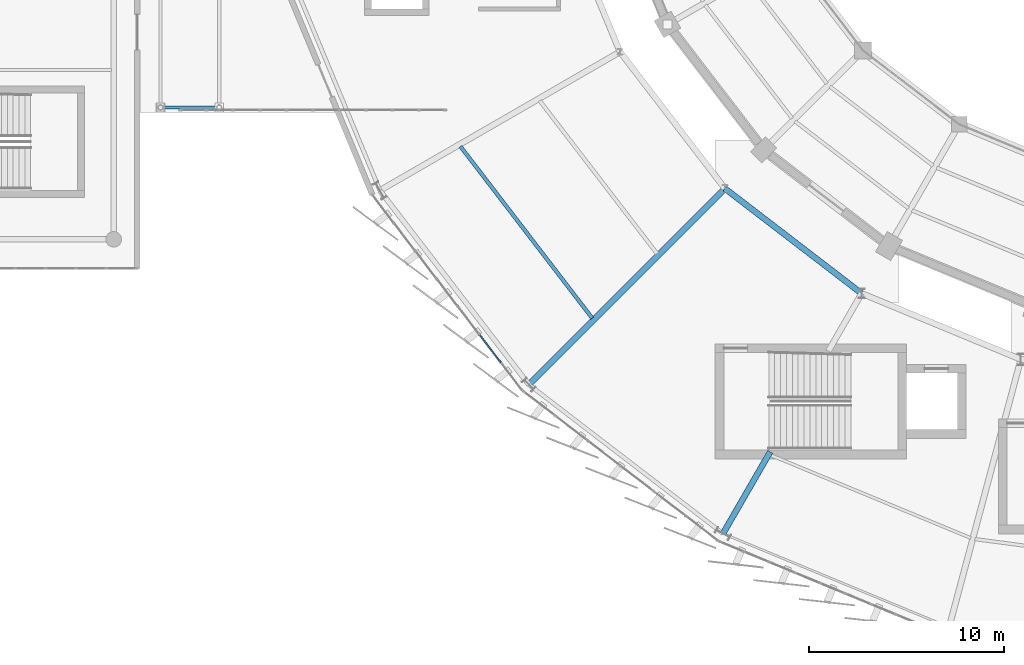
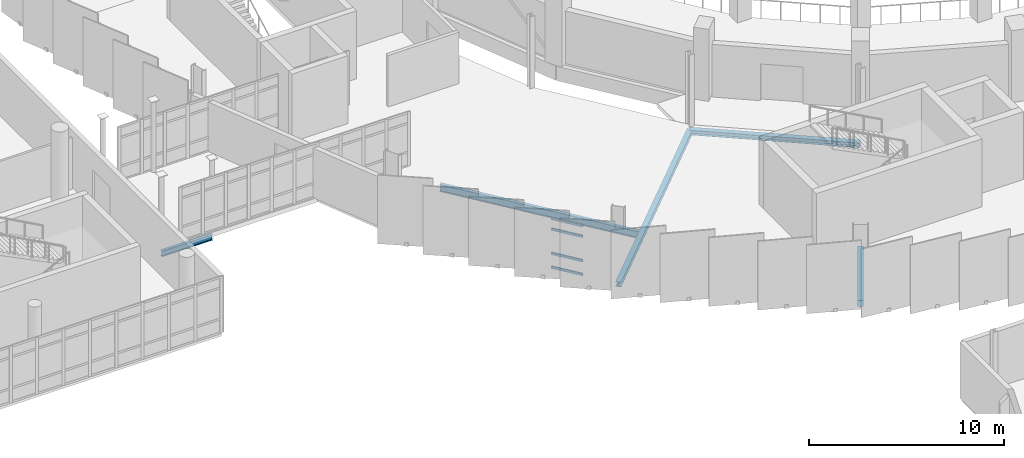
# One storey, part 30 of 125: 5 beams, 4 members, 1 element without a shape of its own.
"""IFC4 building model written with IfcOpenShell, lengths in metres."""

from ifc_helpers import new_model, si_unit, direction, frame, origin, origin_2d, place, context, subcontext, project, spatial, rectangle, i_section, extrude, material, layer, layer_set, material_profile, profile_set, type_object, element, aggregate, save


model = new_model("IFC4")

# Units and contexts
model_context = context("Model", 3, precision=1e-05, world=origin(), true_north=direction((0.0, 1.0)))
body_context = subcontext(model_context, "Body", "Model", "MODEL_VIEW")
ifc_project = project(units=[si_unit("LENGTHUNIT", "METRE"), si_unit("AREAUNIT", "SQUARE_METRE"), si_unit("VOLUMEUNIT", "CUBIC_METRE"), si_unit("PLANEANGLEUNIT", "RADIAN"), si_unit("MASSUNIT", "GRAM", prefix="KILO")], contexts=[model_context])

# Site, building, storey
site_placement = place(None, origin())
site = spatial("IfcSite", under=ifc_project, at=site_placement, CompositionType="ELEMENT")
building_placement = place(site_placement, origin())
building = spatial("IfcBuilding", under=site, at=building_placement, Name="Sohan Crest Arena", CompositionType="ELEMENT")
storey_placement = place(building_placement, frame((0.0, 0.0, 9.0)))
storey = spatial("IfcBuildingStorey", under=building, at=storey_placement, Name="L02", CompositionType="ELEMENT", Elevation=9.0)

# Curtain wall, members
ifc_material_1 = material(Name="Thermally broken anodised aluminium", Category="aluminium")
ifc_layer = layer(ifc_material_1, 0.219970703125, Name="Thermally broken anodised aluminium")
ifc_layer_set = layer_set([ifc_layer], Name="Thermally broken anodised aluminium")
curtain_wall_type = type_object("IfcCurtainWallType", Name="ARC-CW03", PredefinedType="NOTDEFINED", material=ifc_layer_set)
curtain_wall_placement = place(storey_placement, origin())
curtain_wall = element("IfcCurtainWall", 1, at=curtain_wall_placement, inside=storey, type_object=curtain_wall_type, Name="Unitised curtain wall CW-056", PredefinedType="NOTDEFINED")
ifc_material_profile_1 = material_profile(ifc_material_1, rectangle(XDim=0.070068359375, YDim=0.14990234375, at=origin_2d()), Name="ALU-TRAN 70x150")
ifc_profile_set_1 = profile_set([ifc_material_profile_1], Name="Thermally broken anodised aluminium")
member_type = type_object("IfcMemberType", Name="ARC-CW-TR03", PredefinedType="USERDEFINED", material=ifc_profile_set_1)
member_1_placement = place(storey_placement, frame((61.559326171875, 46.583984375, 0.034912109375), z_axis=(0.608818785139, -0.79330932609, 0.0), x_axis=(0.79330932609, 0.608818785139, 0.0)))
member_1 = element("IfcMember", 2, at=member_1_placement, type_object=member_type, Name="CW-056 transom 6.1", ObjectType="TRANSOM", PredefinedType="USERDEFINED", context=body_context, shape_type="SweptSolid", body=[
    extrude(rectangle(XDim=0.070068359375, YDim=0.14990234375, at=origin_2d()), origin(), (0.0, 0.0, 1.0), 1.746826171875),
])
member_2_placement = place(storey_placement, frame((61.559326171875, 46.583984375, 0.89990234375), z_axis=(0.608818785139, -0.79330932609, 0.0), x_axis=(0.79330932609, 0.608818785139, 0.0)))
member_2 = element("IfcMember", 3, at=member_2_placement, type_object=member_type, Name="CW-056 transom 6.2", ObjectType="TRANSOM", PredefinedType="USERDEFINED", context=body_context, shape_type="SweptSolid", body=[
    extrude(rectangle(XDim=0.070068359375, YDim=0.14990234375, at=origin_2d()), origin(), (0.0, 0.0, 1.0), 1.746826171875),
])
member_3_placement = place(storey_placement, frame((61.559326171875, 46.583984375, 2.419921875), z_axis=(0.608818785139, -0.79330932609, 0.0), x_axis=(0.79330932609, 0.608818785139, 0.0)))
member_3 = element("IfcMember", 4, at=member_3_placement, type_object=member_type, Name="CW-056 transom 6.3", ObjectType="TRANSOM", PredefinedType="USERDEFINED", context=body_context, shape_type="SweptSolid", body=[
    extrude(rectangle(XDim=0.070068359375, YDim=0.14990234375, at=origin_2d()), origin(), (0.0, 0.0, 1.0), 1.746826171875),
])
member_4_placement = place(storey_placement, frame((61.559326171875, 46.583984375, 3.0849609375), z_axis=(0.608818785139, -0.79330932609, 0.0), x_axis=(0.79330932609, 0.608818785139, 0.0)))
member_4 = element("IfcMember", 5, at=member_4_placement, type_object=member_type, Name="CW-056 transom 6.4", ObjectType="TRANSOM", PredefinedType="USERDEFINED", context=body_context, shape_type="SweptSolid", body=[
    extrude(rectangle(XDim=0.070068359375, YDim=0.14990234375, at=origin_2d()), origin(), (0.0, 0.0, 1.0), 1.746826171875),
])
aggregate(curtain_wall, [member_1, member_2, member_3, member_4])

# Beams
ifc_material_2 = material(Name="Steel S355", Category="steel")
ifc_material_profile_2 = material_profile(ifc_material_2, i_section(OverallWidth=0.169921875, OverallDepth=0.360107421875, WebThickness=0.008056640625, FlangeThickness=0.0126953125, at=origin_2d()), Name="IPE 360")
ifc_profile_set_2 = profile_set([ifc_material_profile_2], Name="Steel S355")
beam_type_1 = type_object("IfcBeamType", Name="STR-BM-B02", PredefinedType="JOIST", material=ifc_profile_set_2)
beam_1_placement = place(storey_placement, frame((45.199951171875, 58.25, -0.455078125), z_axis=(1.0, 0.0, 0.0), x_axis=(0.0, 1.0, 0.0)))
element("IfcBeam", 6, at=beam_1_placement, inside=storey, type_object=beam_type_1, Name="Structural beam BG-L02-2928", PredefinedType="JOIST", context=body_context, shape_type="SweptSolid", body=[
    extrude(i_section(OverallWidth=0.169921875, OverallDepth=0.360107421875, WebThickness=0.008056640625, FlangeThickness=0.0126953125, at=origin_2d()), origin(), (0.0, 0.0, 1.0), 3.0),
])
ifc_material_profile_3 = material_profile(ifc_material_2, i_section(OverallWidth=0.18994140625, OverallDepth=0.449951171875, WebThickness=0.009521484375, FlangeThickness=0.0146484375, at=origin_2d()), Name="IPE 450")
ifc_profile_set_3 = profile_set([ifc_material_profile_3], Name="Steel S355")
beam_type_2 = type_object("IfcBeamType", Name="STR-BM-B04", PredefinedType="JOIST", material=ifc_profile_set_3)
beam_2_placement = place(storey_placement, frame((60.555908203125, 56.256103515625, -0.47509765625), z_axis=(0.608788813613, -0.793332326594, 0.0), x_axis=(0.793332326594, 0.608788813613, 0.0)))
element("IfcBeam", 7, at=beam_2_placement, inside=storey, type_object=beam_type_2, Name="Structural beam J-L02-1280", PredefinedType="JOIST", context=body_context, shape_type="SweptSolid", body=[
    extrude(i_section(OverallWidth=0.18994140625, OverallDepth=0.449951171875, WebThickness=0.009521484375, FlangeThickness=0.0146484375, at=origin_2d()), origin(), (0.0, 0.0, 1.0), 11.087646484375),
])
ifc_material_profile_4 = material_profile(ifc_material_2, i_section(OverallWidth=0.300048828125, OverallDepth=0.300048828125, WebThickness=0.010986328125, FlangeThickness=0.01904296875, at=origin_2d()), Name="HEB 300")
ifc_profile_set_4 = profile_set([ifc_material_profile_4], Name="Steel S355")
beam_type_3 = type_object("IfcBeamType", Name="STR-BM-B12", PredefinedType="BEAM", material=ifc_profile_set_4)
beam_3_placement = place(storey_placement, frame((74.10009765625, 54.10009765625, -0.39990234375), z_axis=(-0.707106781187, -0.707106781187, 0.0), x_axis=(0.707106781187, -0.707106781187, 0.0)))
element("IfcBeam", 8, at=beam_3_placement, inside=storey, type_object=beam_type_3, Name="Structural beam G-L02-1281", PredefinedType="BEAM", context=body_context, shape_type="SweptSolid", body=[
    extrude(i_section(OverallWidth=0.300048828125, OverallDepth=0.300048828125, WebThickness=0.010986328125, FlangeThickness=0.01904296875, at=origin_2d()), origin(), (0.0, 0.0, 1.0), 14.2001953125),
])
beam_4_placement = place(storey_placement, frame((74.10009765625, 54.10009765625, -0.39990234375), z_axis=(0.793310569192, -0.608817165336, 0.0), x_axis=(0.608817165336, 0.793310569192, 0.0)))
element("IfcBeam", 9, at=beam_4_placement, inside=storey, type_object=beam_type_3, Name="Structural beam G-L02-1282", PredefinedType="BEAM", context=body_context, shape_type="SweptSolid", body=[
    extrude(i_section(OverallWidth=0.300048828125, OverallDepth=0.300048828125, WebThickness=0.010986328125, FlangeThickness=0.01904296875, at=origin_2d()), origin(), (0.0, 0.0, 1.0), 8.82373046875),
])
ifc_material_profile_5 = material_profile(ifc_material_2, i_section(OverallWidth=0.300048828125, OverallDepth=0.39990234375, WebThickness=0.013427734375, FlangeThickness=0.02392578125, at=origin_2d()), Name="HEB 400")
ifc_profile_set_5 = profile_set([ifc_material_profile_5], Name="Steel S355")
beam_type_4 = type_object("IfcBeamType", Name="STR-BM-B13", PredefinedType="BEAM", material=ifc_profile_set_5)
beam_5_placement = place(storey_placement, frame((76.4189453125, 40.6201171875, -0.449951171875), z_axis=(-0.500047190239, -0.865998156773, 0.0), x_axis=(0.865998156773, -0.500047190239, 0.0)))
element("IfcBeam", 10, at=beam_5_placement, inside=storey, type_object=beam_type_4, Name="Structural beam G-L02-1285", PredefinedType="BEAM", context=body_context, shape_type="SweptSolid", body=[
    extrude(i_section(OverallWidth=0.300048828125, OverallDepth=0.39990234375, WebThickness=0.013427734375, FlangeThickness=0.02392578125, at=origin_2d()), origin(), (0.0, 0.0, 1.0), 4.83740234375),
])

save(model, "model.ifc")
